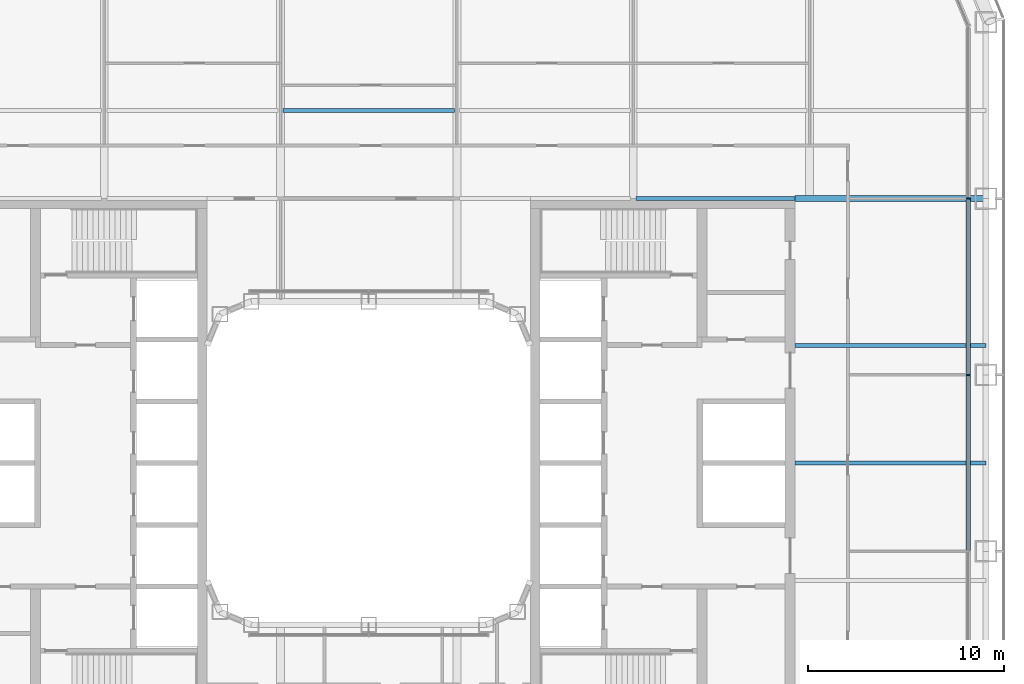
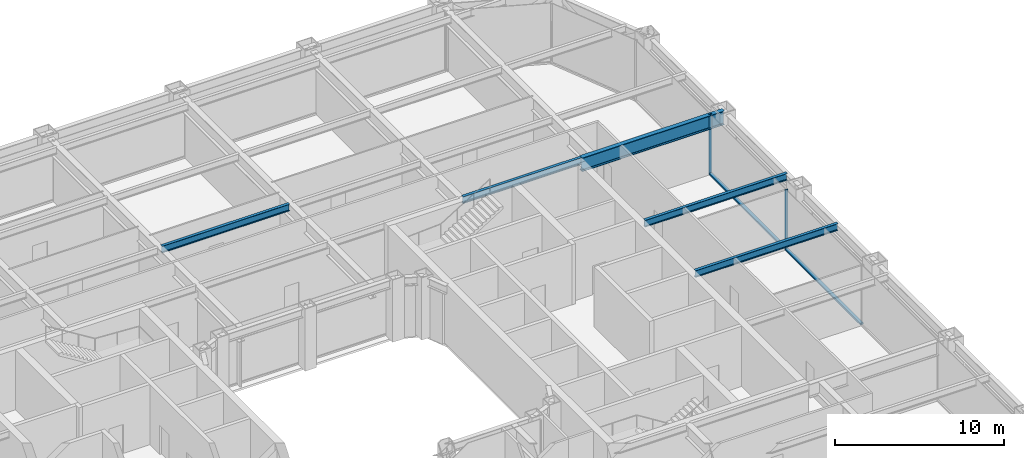
# One storey, part 9 of 27: 5 beams, 4 members, 1 element without a shape of its own.
"""IFC4 building model written with IfcOpenShell, lengths in metres."""

from ifc_helpers import new_model, si_unit, direction, frame, origin, origin_2d, place, context, subcontext, project, spatial, rectangle, i_section, extrude, material, layer, layer_set, material_profile, profile_set, type_object, element, aggregate, save


model = new_model("IFC4")

# Units and contexts
model_context = context("Model", 3, precision=1e-05, world=origin(), true_north=direction((0.0, 1.0)))
body_context = subcontext(model_context, "Body", "Model", "MODEL_VIEW")
ifc_project = project(units=[si_unit("LENGTHUNIT", "METRE"), si_unit("AREAUNIT", "SQUARE_METRE"), si_unit("VOLUMEUNIT", "CUBIC_METRE"), si_unit("PLANEANGLEUNIT", "RADIAN"), si_unit("MASSUNIT", "GRAM", prefix="KILO")], contexts=[model_context])

# Site, building, storey
site_placement = place(None, origin())
site = spatial("IfcSite", under=ifc_project, at=site_placement, CompositionType="ELEMENT")
building_placement = place(site_placement, origin())
building = spatial("IfcBuilding", under=site, at=building_placement, Name="Siwar Civic Tower", CompositionType="ELEMENT")
storey_placement = place(building_placement, frame((0.0, 0.0, 35.699951171875)))
storey = spatial("IfcBuildingStorey", under=building, at=storey_placement, Name="L07", CompositionType="ELEMENT", Elevation=35.699951171875)

# Curtain wall, members
ifc_material_1 = material(Name="Aluminium and glass", Category="aluminium")
ifc_layer = layer(ifc_material_1, 0.219970703125)
ifc_layer_set = layer_set([ifc_layer], Name="Aluminium and glass")
curtain_wall_type = type_object("IfcCurtainWallType", Name="ENV-CW-A", PredefinedType="NOTDEFINED", material=ifc_layer_set)
curtain_wall_placement = place(storey_placement, origin())
curtain_wall = element("IfcCurtainWall", 1, at=curtain_wall_placement, inside=storey, type_object=curtain_wall_type, Name="Curtain wall A E", PredefinedType="NOTDEFINED")
ifc_material_2 = material(Name="Aluminium 6063-T6", Category="aluminium")
ifc_material_profile_1 = material_profile(ifc_material_2, rectangle(XDim=0.219970703125, YDim=0.070068359375, at=origin_2d()), Name="AL 220x70")
ifc_profile_set_1 = profile_set([ifc_material_profile_1], Name="Aluminium 6063-T6")
member_type_1 = type_object("IfcMemberType", Name="ENV-MULLION-A", PredefinedType="MULLION", material=ifc_profile_set_1)
member_1_placement = place(storey_placement, frame((30.60009765625, 4.5, 0.0), z_axis=(0.0, 0.0, 1.0), x_axis=(-1.0, 0.0, 0.0)))
member_1 = element("IfcMember", 2, at=member_1_placement, type_object=member_type_1, Name="Mullion A E 4", PredefinedType="MULLION", context=body_context, shape_type="SweptSolid", body=[
    extrude(rectangle(XDim=0.219970703125, YDim=0.070068359375, at=origin_2d()), origin(), (0.0, 0.0, 1.0), 4.35009765625),
])
member_2_placement = place(storey_placement, frame((30.60009765625, 13.5, 0.0), z_axis=(0.0, 0.0, 1.0), x_axis=(-1.0, 0.0, 0.0)))
member_2 = element("IfcMember", 3, at=member_2_placement, type_object=member_type_1, Name="Mullion A E 5", PredefinedType="MULLION", context=body_context, shape_type="SweptSolid", body=[
    extrude(rectangle(XDim=0.219970703125, YDim=0.070068359375, at=origin_2d()), origin(), (0.0, 0.0, 1.0), 4.35009765625),
])
ifc_material_3 = material(Name="Aluminium 6063-T6", Category="aluminium")
ifc_material_profile_2 = material_profile(ifc_material_3, rectangle(XDim=0.219970703125, YDim=0.1201171875, at=origin_2d()), Name="AL 220x120")
ifc_profile_set_2 = profile_set([ifc_material_profile_2], Name="Aluminium 6063-T6")
member_type_2 = type_object("IfcMemberType", Name="ENV-TRANSOM-A", PredefinedType="USERDEFINED", material=ifc_profile_set_2)
member_3_placement = place(storey_placement, frame((30.60009765625, -4.465087890625, 0.06005859375), z_axis=(0.0, 1.0, 0.0), x_axis=(-1.0, 0.0, 0.0)))
member_3 = element("IfcMember", 4, at=member_3_placement, type_object=member_type_2, Name="Transom A E 3", ObjectType="TRANSOM", PredefinedType="USERDEFINED", context=body_context, shape_type="SweptSolid", body=[
    extrude(rectangle(XDim=0.219970703125, YDim=0.1201171875, at=origin_2d()), origin(), (0.0, 0.0, 1.0), 8.93017578125),
])
member_4_placement = place(storey_placement, frame((30.60009765625, 4.534912109375, 0.06005859375), z_axis=(0.0, 1.0, 0.0), x_axis=(-1.0, 0.0, 0.0)))
member_4 = element("IfcMember", 5, at=member_4_placement, type_object=member_type_2, Name="Transom A E 4", ObjectType="TRANSOM", PredefinedType="USERDEFINED", context=body_context, shape_type="SweptSolid", body=[
    extrude(rectangle(XDim=0.219970703125, YDim=0.1201171875, at=origin_2d()), origin(), (0.0, 0.0, 1.0), 8.93017578125),
])
aggregate(curtain_wall, [member_1, member_2, member_3, member_4])

# Beams
ifc_material_4 = material(Name="Steel S355", Category="steel")
ifc_material_profile_3 = material_profile(ifc_material_4, i_section(OverallWidth=0.199951171875, OverallDepth=0.5, WebThickness=0.01025390625, FlangeThickness=0.01611328125, FilletRadius=0.02099609375, at=origin_2d()), Name="IPE500")
ifc_profile_set_3 = profile_set([ifc_material_profile_3], Name="Steel S355")
beam_type_1 = type_object("IfcBeamType", Name="STR-FB-IPE500", PredefinedType="JOIST", material=ifc_profile_set_3)
for number, where, z_axis, x_axis, name in (
    (6, (21.75, 0.0, 4.10009765625), (1.0, 0.0, 0.0), (0.0, 1.0, 0.0), "L07/bm/F034"),
    (7, (21.75, 6.0, 4.10009765625), (1.0, 0.0, 0.0), (0.0, 1.0, 0.0), "L07/bm/F036"),
):
    element("IfcBeam", number, at=place(storey_placement, frame(where, z_axis=z_axis, x_axis=x_axis)), inside=storey, type_object=beam_type_1, Name=name, PredefinedType="JOIST", context=body_context, shape_type="SweptSolid", body=[
        extrude(i_section(OverallWidth=0.199951171875, OverallDepth=0.5, WebThickness=0.01025390625, FlangeThickness=0.01611328125, FilletRadius=0.02099609375, at=origin_2d()), origin(), (0.0, 0.0, 1.0), 9.75),
    ])
beam_1_placement = place(storey_placement, frame((13.6298828125, 13.5, 4.10009765625), z_axis=(1.0, 0.0, 0.0), x_axis=(0.0, 1.0, 0.0)))
element("IfcBeam", 8, at=beam_1_placement, inside=storey, type_object=beam_type_1, Name="L07/bm/F044", PredefinedType="JOIST", context=body_context, shape_type="SweptSolid", body=[
    extrude(i_section(OverallWidth=0.199951171875, OverallDepth=0.5, WebThickness=0.01025390625, FlangeThickness=0.01611328125, FilletRadius=0.02099609375, at=origin_2d()), origin(), (0.0, 0.0, 1.0), 8.1201171875),
])
beam_2_placement = place(storey_placement, frame((-4.3701171875, 18.0, 4.10009765625), z_axis=(1.0, 0.0, 0.0), x_axis=(0.0, 1.0, 0.0)))
element("IfcBeam", 9, at=beam_2_placement, inside=storey, type_object=beam_type_1, Name="L07/bm/F049", PredefinedType="JOIST", context=body_context, shape_type="SweptSolid", body=[
    extrude(i_section(OverallWidth=0.199951171875, OverallDepth=0.5, WebThickness=0.01025390625, FlangeThickness=0.01611328125, FilletRadius=0.02099609375, at=origin_2d()), origin(), (0.0, 0.0, 1.0), 8.740234375),
])
ifc_material_5 = material(Name="Steel S355", Category="steel")
ifc_material_profile_4 = material_profile(ifc_material_5, i_section(OverallWidth=0.300048828125, OverallDepth=1.0, WebThickness=0.01904296875, FlangeThickness=0.035888671875, FilletRadius=0.030029296875, at=origin_2d()), Name="HEB1000")
ifc_profile_set_4 = profile_set([ifc_material_profile_4], Name="Steel S355")
beam_type_2 = type_object("IfcBeamType", Name="STR-PG-HEB1000", PredefinedType="BEAM", material=ifc_profile_set_4)
beam_3_placement = place(storey_placement, frame((21.75, 13.5, 3.85009765625), z_axis=(1.0, 0.0, 0.0), x_axis=(0.0, 1.0, 0.0)))
element("IfcBeam", 10, at=beam_3_placement, inside=storey, type_object=beam_type_2, Name="L07/bm/F045", PredefinedType="BEAM", context=body_context, shape_type="SweptSolid", body=[
    extrude(i_section(OverallWidth=0.300048828125, OverallDepth=1.0, WebThickness=0.01904296875, FlangeThickness=0.035888671875, FilletRadius=0.030029296875, at=origin_2d()), origin(), (0.0, 0.0, 1.0), 9.75),
])

save(model, "model.ifc")
